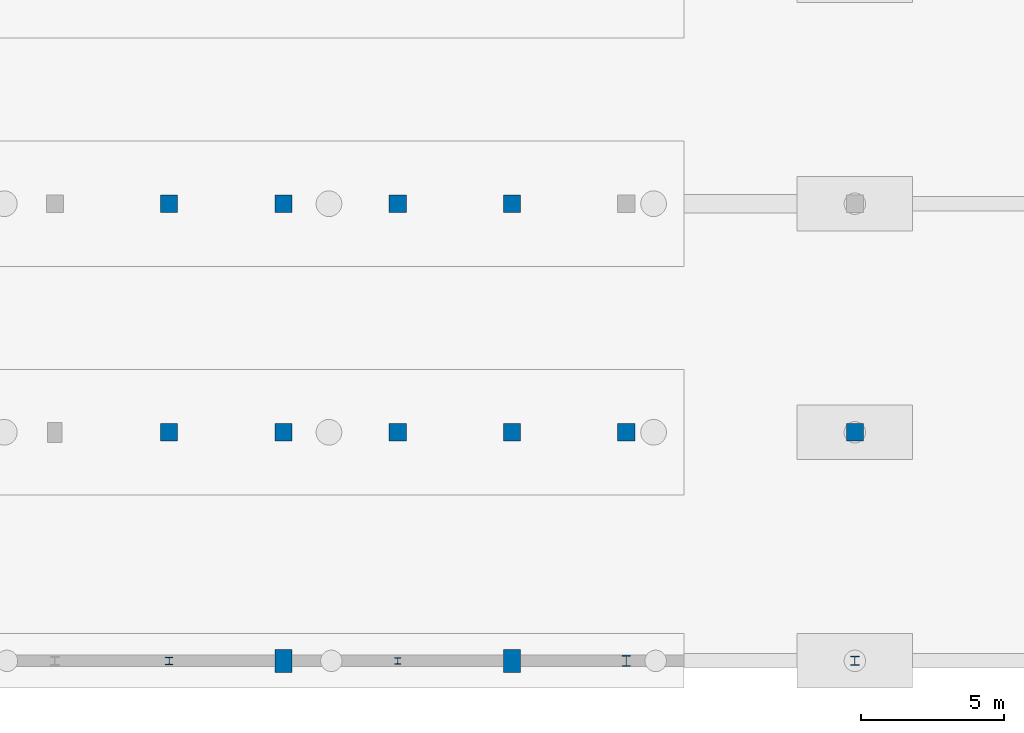
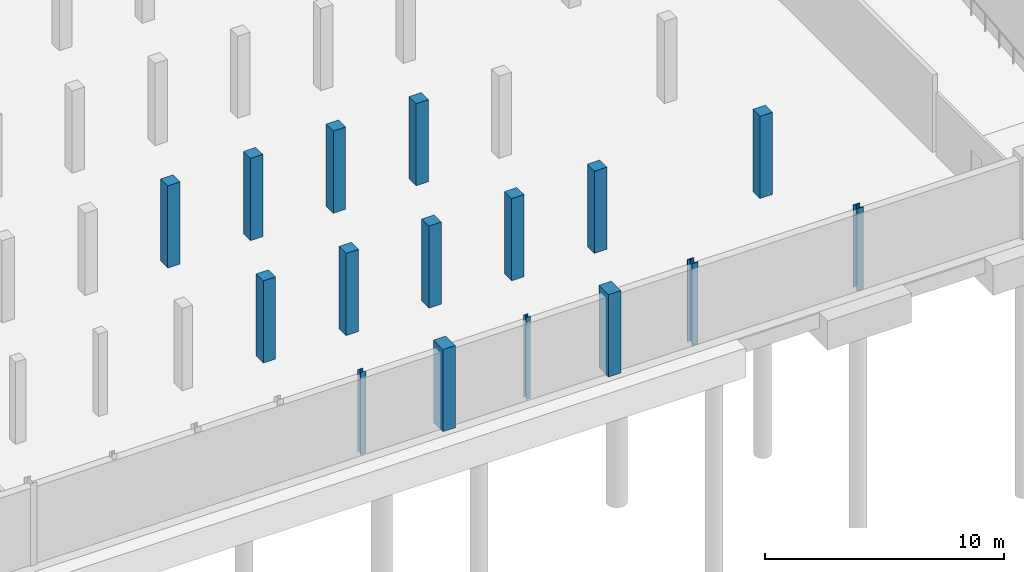
# One storey, part 4 of 15: 16 columns.
"""IFC4 building model written with IfcOpenShell, lengths in metres."""

from ifc_helpers import new_model, si_unit, derived_unit, direction, frame, origin, origin_2d, place, context, subcontext, project, spatial, rectangle, i_section, extrude, material, material_profile, profile_set, type_object, element, save


model = new_model("IFC4")

# Units and contexts
model_context = context("Model", 3, precision=1e-05, world=origin(), true_north=direction((0.0, 1.0)))
body_context = subcontext(model_context, "Body", "Model", "MODEL_VIEW")
ifc_project = project(units=[si_unit("LENGTHUNIT", "METRE"), si_unit("AREAUNIT", "SQUARE_METRE"), si_unit("VOLUMEUNIT", "CUBIC_METRE"), si_unit("PLANEANGLEUNIT", "RADIAN"), si_unit("MASSUNIT", "GRAM", prefix="KILO"), derived_unit("THERMALTRANSMITTANCEUNIT", [(si_unit("POWERUNIT", "WATT"), 1), (si_unit("LENGTHUNIT", "METRE"), -2), (si_unit("THERMODYNAMICTEMPERATUREUNIT", "KELVIN"), -1)])], contexts=[model_context])

# Site, building, storey
site_placement = place(None, origin())
site = spatial("IfcSite", under=ifc_project, at=site_placement, CompositionType="ELEMENT")
building_placement = place(site_placement, origin())
building = spatial("IfcBuilding", under=site, at=building_placement, Name="Keldorne Ridge Multi-Sports Centre", CompositionType="ELEMENT")
storey_placement = place(building_placement, frame((0.0, 0.0, -4.199951171875)))
storey = spatial("IfcBuildingStorey", under=building, at=storey_placement, Name="B01", CompositionType="ELEMENT", Elevation=-4.199951171875)

# Columns
ifc_material_1 = material(Name="Concrete C40/50", Category="concrete")
ifc_material_profile_1 = material_profile(ifc_material_1, rectangle(XDim=0.60009765625, YDim=0.60009765625, at=origin_2d()), Name="RC 600x600")
ifc_profile_set_1 = profile_set([ifc_material_profile_1], Name="Concrete C40/50")
column_type_1 = type_object("IfcColumnType", Name="COL-C-20", PredefinedType="COLUMN", material=ifc_profile_set_1)
for number, where, z_axis, x_axis, name in (
    (1, (136.0, 74.0, 0.0), (0.0, 0.0, 1.0), (1.0, 0.0, 0.0), "Structural column V5-C-07-02 on B01"),
    (2, (136.0, 82.0, 0.0), (0.0, 0.0, 1.0), (1.0, 0.0, 0.0), "Structural column V5-C-07-03 on B01"),
    (3, (140.0, 74.0, 0.0), (0.0, 0.0, 1.0), (1.0, 0.0, 0.0), "Structural column V5-C-08-02 on B01"),
    (4, (140.0, 82.0, 0.0), (0.0, 0.0, 1.0), (1.0, 0.0, 0.0), "Structural column V5-C-08-03 on B01"),
    (5, (144.0, 74.0, 0.0), (0.0, 0.0, 1.0), (1.0, 0.0, 0.0), "Structural column V5-C-09-02 on B01"),
    (6, (144.0, 82.0, 0.0), (0.0, 0.0, 1.0), (1.0, 0.0, 0.0), "Structural column V5-C-09-03 on B01"),
    (7, (148.0, 74.0, 0.0), (0.0, 0.0, 1.0), (1.0, 0.0, 0.0), "Structural column V5-C-10-02 on B01"),
    (8, (148.0, 82.0, 0.0), (0.0, 0.0, 1.0), (1.0, 0.0, 0.0), "Structural column V5-C-10-03 on B01"),
    (9, (152.0, 74.0, 0.0), (0.0, 0.0, 1.0), (1.0, 0.0, 0.0), "Structural column V5-C-11-02 on B01"),
    (10, (160.0, 74.0, 0.0), (0.0, 0.0, 1.0), (1.0, 0.0, 0.0), "Structural column V5-C-12-02 on B01"),
):
    element("IfcColumn", number, at=place(storey_placement, frame(where, z_axis=z_axis, x_axis=x_axis)), inside=storey, type_object=column_type_1, Name=name, PredefinedType="COLUMN", context=body_context, shape_type="SweptSolid", body=[
        extrude(rectangle(XDim=0.60009765625, YDim=0.60009765625, at=origin_2d()), origin(), (0.0, 0.0, 1.0), 4.199951171875),
    ])
ifc_material_profile_2 = material_profile(ifc_material_1, rectangle(XDim=0.60009765625, YDim=0.800048828125, at=origin_2d()), Name="RC 600x800")
ifc_profile_set_2 = profile_set([ifc_material_profile_2], Name="Concrete C40/50")
column_type_2 = type_object("IfcColumnType", Name="COL-C-23", PredefinedType="COLUMN", material=ifc_profile_set_2)
for number, where, z_axis, x_axis, name in (
    (11, (140.0, 66.0, 0.0), (0.0, 0.0, 1.0), (1.0, 0.0, 0.0), "Structural column V5-C-08-01 on B01"),
    (12, (148.0, 66.0, 0.0), (0.0, 0.0, 1.0), (1.0, 0.0, 0.0), "Structural column V5-C-10-01 on B01"),
):
    element("IfcColumn", number, at=place(storey_placement, frame(where, z_axis=z_axis, x_axis=x_axis)), inside=storey, type_object=column_type_2, Name=name, PredefinedType="COLUMN", context=body_context, shape_type="SweptSolid", body=[
        extrude(rectangle(XDim=0.60009765625, YDim=0.800048828125, at=origin_2d()), origin(), (0.0, 0.0, 1.0), 4.199951171875),
    ])
ifc_material_2 = material(Name="Steel S355", Category="steel")
ifc_material_profile_3 = material_profile(ifc_material_2, i_section(OverallWidth=0.260009765625, OverallDepth=0.260009765625, WebThickness=0.010009765625, FlangeThickness=0.017578125, FilletRadius=0.02392578125, at=origin_2d()), Name="HEB 260")
ifc_profile_set_3 = profile_set([ifc_material_profile_3], Name="Steel S355")
column_type_3 = type_object("IfcColumnType", Name="COL-C-29", PredefinedType="COLUMN", material=ifc_profile_set_3)
column_1_placement = place(storey_placement, frame((136.0, 66.0, 0.0), z_axis=(0.0, 0.0, 1.0), x_axis=(1.0, 0.0, 0.0)))
element("IfcColumn", 13, at=column_1_placement, inside=storey, type_object=column_type_3, Name="Structural column V5-C-07-01 on B01", PredefinedType="COLUMN", context=body_context, shape_type="SweptSolid", body=[
    extrude(i_section(OverallWidth=0.260009765625, OverallDepth=0.260009765625, WebThickness=0.010009765625, FlangeThickness=0.017578125, FilletRadius=0.02392578125, at=origin_2d()), origin(), (0.0, 0.0, 1.0), 4.199951171875),
])
ifc_material_profile_4 = material_profile(ifc_material_2, i_section(OverallWidth=0.219970703125, OverallDepth=0.219970703125, WebThickness=0.009521484375, FlangeThickness=0.01611328125, FilletRadius=0.01806640625, at=origin_2d()), Name="HEB 220")
ifc_profile_set_4 = profile_set([ifc_material_profile_4], Name="Steel S355")
column_type_4 = type_object("IfcColumnType", Name="COL-C-30", PredefinedType="COLUMN", material=ifc_profile_set_4)
column_2_placement = place(storey_placement, frame((144.0, 66.0, 0.0), z_axis=(0.0, 0.0, 1.0), x_axis=(1.0, 0.0, 0.0)))
element("IfcColumn", 14, at=column_2_placement, inside=storey, type_object=column_type_4, Name="Structural column V5-C-09-01 on B01", PredefinedType="COLUMN", context=body_context, shape_type="SweptSolid", body=[
    extrude(i_section(OverallWidth=0.219970703125, OverallDepth=0.219970703125, WebThickness=0.009521484375, FlangeThickness=0.01611328125, FilletRadius=0.01806640625, at=origin_2d()), origin(), (0.0, 0.0, 1.0), 4.199951171875),
])
ifc_material_profile_5 = material_profile(ifc_material_2, i_section(OverallWidth=0.30810546875, OverallDepth=0.39501953125, WebThickness=0.02099609375, FlangeThickness=0.03955078125, FilletRadius=0.027099609375, at=origin_2d()), Name="HEM 360")
ifc_profile_set_5 = profile_set([ifc_material_profile_5], Name="Steel S355")
column_type_5 = type_object("IfcColumnType", Name="COL-C-32", PredefinedType="COLUMN", material=ifc_profile_set_5)
column_3_placement = place(storey_placement, frame((152.0, 66.0, 0.0), z_axis=(0.0, 0.0, 1.0), x_axis=(1.0, 0.0, 0.0)))
element("IfcColumn", 15, at=column_3_placement, inside=storey, type_object=column_type_5, Name="Structural column V5-C-11-01 on B01", PredefinedType="COLUMN", context=body_context, shape_type="SweptSolid", body=[
    extrude(i_section(OverallWidth=0.30810546875, OverallDepth=0.39501953125, WebThickness=0.02099609375, FlangeThickness=0.03955078125, FilletRadius=0.027099609375, at=origin_2d()), origin(), (0.0, 0.0, 1.0), 4.199951171875),
])
ifc_material_profile_6 = material_profile(ifc_material_2, i_section(OverallWidth=0.31005859375, OverallDepth=0.340087890625, WebThickness=0.02099609375, FlangeThickness=0.0390625, FilletRadius=0.027099609375, at=origin_2d()), Name="HEM 300")
ifc_profile_set_6 = profile_set([ifc_material_profile_6], Name="Steel S355")
column_type_6 = type_object("IfcColumnType", Name="COL-C-33", PredefinedType="COLUMN", material=ifc_profile_set_6)
column_4_placement = place(storey_placement, frame((160.0, 66.0, 0.0), z_axis=(0.0, 0.0, 1.0), x_axis=(1.0, 0.0, 0.0)))
element("IfcColumn", 16, at=column_4_placement, inside=storey, type_object=column_type_6, Name="Structural column V5-C-12-01 on B01", PredefinedType="COLUMN", context=body_context, shape_type="SweptSolid", body=[
    extrude(i_section(OverallWidth=0.31005859375, OverallDepth=0.340087890625, WebThickness=0.02099609375, FlangeThickness=0.0390625, FilletRadius=0.027099609375, at=origin_2d()), origin(), (0.0, 0.0, 1.0), 4.199951171875),
])

save(model, "model.ifc")
